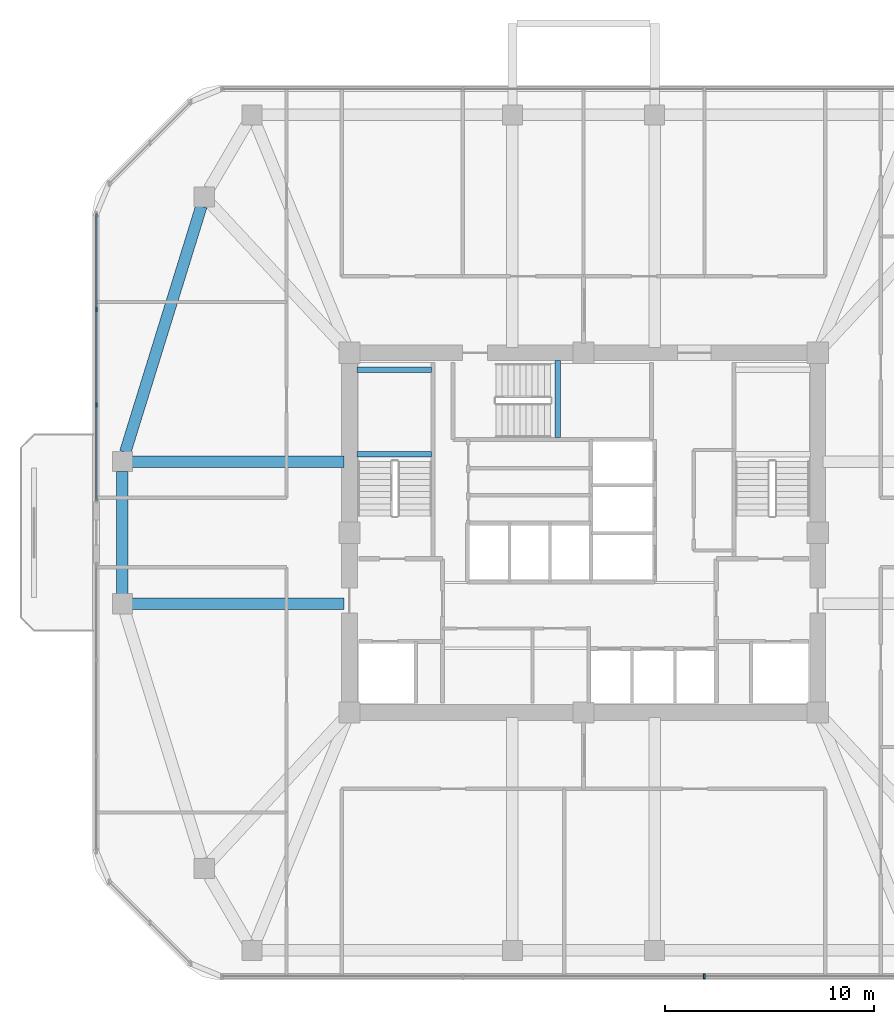
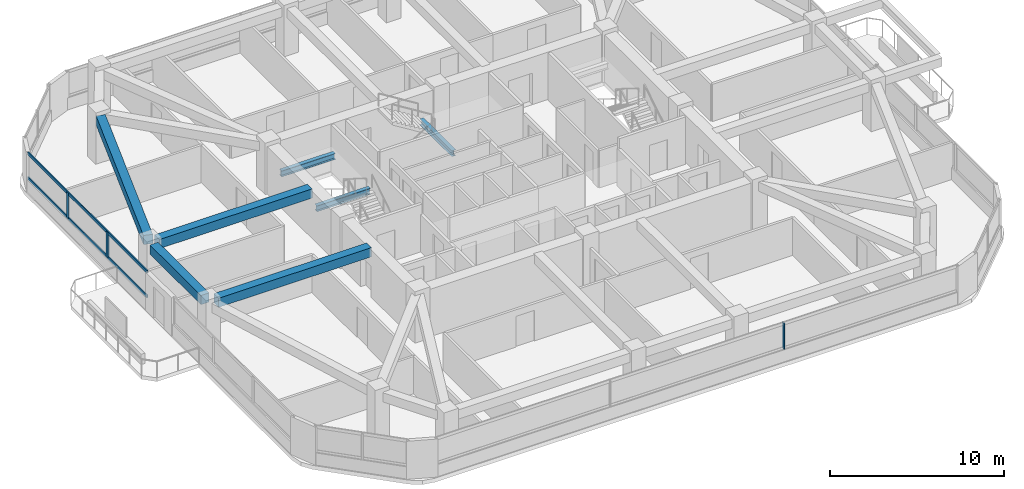
# One storey, part 3 of 12: 7 beams, 5 members, 2 elements without a shape of their own.
"""IFC4 building model written with IfcOpenShell, lengths in metres."""

from ifc_helpers import new_model, si_unit, derived_unit, direction, frame, origin, origin_2d, place, context, subcontext, project, spatial, rectangle, i_section, extrude, material, material_profile, profile_set, type_object, element, aggregate, save


model = new_model("IFC4")

# Units and contexts
model_context = context("Model", 3, precision=1e-05, world=origin(), true_north=direction((0.0, 1.0)))
body_context = subcontext(model_context, "Body", "Model", "MODEL_VIEW")
ifc_project = project(units=[si_unit("LENGTHUNIT", "METRE"), si_unit("AREAUNIT", "SQUARE_METRE"), si_unit("VOLUMEUNIT", "CUBIC_METRE"), si_unit("PLANEANGLEUNIT", "RADIAN"), si_unit("MASSUNIT", "GRAM", prefix="KILO"), derived_unit("THERMALTRANSMITTANCEUNIT", [(si_unit("POWERUNIT", "WATT"), 1), (si_unit("LENGTHUNIT", "METRE"), -2), (si_unit("THERMODYNAMICTEMPERATUREUNIT", "KELVIN"), -1)])], contexts=[model_context])

# Site, building, storey
site_placement = place(None, origin())
site = spatial("IfcSite", under=ifc_project, at=site_placement, CompositionType="ELEMENT")
building_placement = place(site_placement, origin())
building = spatial("IfcBuilding", under=site, at=building_placement, Name="Koralith Skygarden Medical Center", CompositionType="ELEMENT")
storey_placement = place(building_placement, frame((0.0, 0.0, 170.820068359375)))
storey = spatial("IfcBuildingStorey", under=building, at=storey_placement, Name="L44", CompositionType="ELEMENT", Elevation=170.820068359375)

# Curtain wall, member
ifc_material_1 = material(Name="Clear Laminated Glass", Category="glass")
curtain_wall_type = type_object("IfcCurtainWallType", Name="CW-4 Zone 3 Waist High-Wind Curtain Wall", PredefinedType="NOTDEFINED", material=ifc_material_1)
curtain_wall_1_placement = place(storey_placement, origin())
curtain_wall_1 = element("IfcCurtainWall", 1, at=curtain_wall_1_placement, inside=storey, type_object=curtain_wall_type, Name="Curtain Wall CW-L44-S", PredefinedType="NOTDEFINED")
ifc_material_2 = material(Name="Aluminium 6063-T6", Category="aluminium")
ifc_material_profile_1 = material_profile(ifc_material_2, rectangle(XDim=0.076904296875, YDim=0.22998046875, at=origin_2d()), Name="MUL77X230")
ifc_profile_set_1 = profile_set([ifc_material_profile_1], Name="Aluminium 6063-T6")
member_type_1 = type_object("IfcMemberType", Name="CW-4 Extruded Mullion 77x230", PredefinedType="MULLION", material=ifc_profile_set_1)
member_1_placement = place(storey_placement, frame((42.77587890625, 4.679931640625, 0.849853515625), z_axis=(0.0, 0.0, 1.0), x_axis=(1.0, 0.0, 0.0)))
member_1 = element("IfcMember", 2, at=member_1_placement, type_object=member_type_1, Name="CW-L44-S Mullion 3", PredefinedType="MULLION", context=body_context, shape_type="SweptSolid", body=[
    extrude(rectangle(XDim=0.076904296875, YDim=0.22998046875, at=origin_2d()), origin(), (0.0, 0.0, 1.0), 1.820068359375),
])
aggregate(curtain_wall_1, [member_1])

# Curtain wall, members
curtain_wall_2_placement = place(storey_placement, origin())
curtain_wall_2 = element("IfcCurtainWall", 3, at=curtain_wall_2_placement, inside=storey, type_object=curtain_wall_type, Name="Curtain Wall CW-L44-W-L", PredefinedType="NOTDEFINED")
member_2_placement = place(storey_placement, frame((13.696044921875, 36.576904296875, 0.849853515625), z_axis=(0.0, 0.0, 1.0), x_axis=(1.0, 0.0, 0.0)))
member_2 = element("IfcMember", 4, at=member_2_placement, type_object=member_type_1, Name="CW-L44-W-L Mullion 2", PredefinedType="MULLION", context=body_context, shape_type="SweptSolid", body=[
    extrude(rectangle(XDim=0.076904296875, YDim=0.22998046875, at=origin_2d()), origin(), (0.0, 0.0, 1.0), 1.820068359375),
])
member_3_placement = place(storey_placement, frame((13.696044921875, 32.008056640625, 0.849853515625), z_axis=(0.0, 0.0, 1.0), x_axis=(1.0, 0.0, 0.0)))
member_3 = element("IfcMember", 5, at=member_3_placement, type_object=member_type_1, Name="CW-L44-W-L Mullion 3", PredefinedType="MULLION", context=body_context, shape_type="SweptSolid", body=[
    extrude(rectangle(XDim=0.076904296875, YDim=0.22998046875, at=origin_2d()), origin(), (0.0, 0.0, 1.0), 1.820068359375),
])
ifc_material_profile_2 = material_profile(ifc_material_2, rectangle(XDim=0.072021484375, YDim=0.20703125, at=origin_2d()), Name="TRN72X207")
ifc_profile_set_2 = profile_set([ifc_material_profile_2], Name="Aluminium 6063-T6")
member_type_2 = type_object("IfcMemberType", Name="CW-4 Thermal Transom 72x207", PredefinedType="USERDEFINED", material=ifc_profile_set_2)
member_4_placement = place(storey_placement, frame((13.696044921875, 41.14501953125, 0.89990234375), z_axis=(0.0, -1.0, 0.0), x_axis=(1.0, 0.0, 0.0)))
member_4 = element("IfcMember", 6, at=member_4_placement, type_object=member_type_2, Name="CW-L44-W-L Transom 1", ObjectType="TRANSOM", PredefinedType="USERDEFINED", context=body_context, shape_type="SweptSolid", body=[
    extrude(rectangle(XDim=0.072021484375, YDim=0.20703125, at=origin_2d()), origin(), (0.0, 0.0, 1.0), 13.705078125),
])
member_5_placement = place(storey_placement, frame((13.696044921875, 41.14501953125, 2.619873046875), z_axis=(0.0, -1.0, 0.0), x_axis=(1.0, 0.0, 0.0)))
member_5 = element("IfcMember", 7, at=member_5_placement, type_object=member_type_2, Name="CW-L44-W-L Transom 2", ObjectType="TRANSOM", PredefinedType="USERDEFINED", context=body_context, shape_type="SweptSolid", body=[
    extrude(rectangle(XDim=0.072021484375, YDim=0.20703125, at=origin_2d()), origin(), (0.0, 0.0, 1.0), 13.705078125),
])
aggregate(curtain_wall_2, [member_2, member_3, member_4, member_5])

# Beams
ifc_material_3 = material(Name="Steel ASTM A992 Grade 50", Category="steel")
ifc_material_profile_3 = material_profile(ifc_material_3, i_section(OverallWidth=0.260009765625, OverallDepth=0.4150390625, WebThickness=0.010009765625, FlangeThickness=0.016845703125, at=origin_2d()), Name="W16X67")
ifc_profile_set_3 = profile_set([ifc_material_profile_3], Name="Steel ASTM A992 Grade 50")
beam_type_1 = type_object("IfcBeamType", Name="Clinical Floor Joist W16X67", PredefinedType="JOIST", material=ifc_profile_set_3)
for number, where, z_axis, x_axis, name in (
    (8, (26.155029296875, 29.659912109375, 1.392822265625), (1.0, 0.0, 0.0), (0.0, 1.0, 0.0), "L44 Stair ST1 Half-Landing Support Beam 1A"),
    (9, (26.155029296875, 33.699951171875, 1.392822265625), (1.0, 0.0, 0.0), (0.0, 1.0, 0.0), "L44 Stair ST1 Half-Landing Support Beam 1B"),
):
    element("IfcBeam", number, at=place(storey_placement, frame(where, z_axis=z_axis, x_axis=x_axis)), inside=storey, type_object=beam_type_1, Name=name, PredefinedType="JOIST", context=body_context, shape_type="SweptSolid", body=[
        extrude(i_section(OverallWidth=0.260009765625, OverallDepth=0.4150390625, WebThickness=0.010009765625, FlangeThickness=0.016845703125, at=origin_2d()), origin(), (0.0, 0.0, 1.0), 3.56494140625),
    ])
beam_1_placement = place(storey_placement, frame((35.760009765625, 30.43994140625, 1.392822265625), z_axis=(0.0, 1.0, 0.0), x_axis=(-1.0, 0.0, 0.0)))
element("IfcBeam", 10, at=beam_1_placement, inside=storey, type_object=beam_type_1, Name="L44 Stair ST3 Half-Landing Support Beam 1A", PredefinedType="JOIST", context=body_context, shape_type="SweptSolid", body=[
    extrude(i_section(OverallWidth=0.260009765625, OverallDepth=0.4150390625, WebThickness=0.010009765625, FlangeThickness=0.016845703125, at=origin_2d()), origin(), (0.0, 0.0, 1.0), 3.705078125),
])
ifc_material_4 = material(Name="Concrete C45/55", Category="concrete")
ifc_material_profile_4 = material_profile(ifc_material_4, rectangle(XDim=0.550048828125, YDim=0.639892578125, at=origin_2d()), Name="RCB550X640")
ifc_profile_set_4 = profile_set([ifc_material_profile_4], Name="Concrete C45/55")
beam_type_2 = type_object("IfcBeamType", Name="Radial Collector Beam RCB550X640", PredefinedType="BEAM", material=ifc_profile_set_4)
for number, where, z_axis, x_axis, name in (
    (11, (25.550048828125, 22.5, 3.0), (-1.0, 0.0, 0.0), (0.0, -1.0, 0.0), "L44 Radial Collector Beam RB-01"),
    (12, (25.550048828125, 29.300048828125, 3.0), (-1.0, 0.0, 0.0), (0.0, -1.0, 0.0), "L44 Radial Collector Beam RB-16"),
):
    element("IfcBeam", number, at=place(storey_placement, frame(where, z_axis=z_axis, x_axis=x_axis)), inside=storey, type_object=beam_type_2, Name=name, PredefinedType="BEAM", context=body_context, shape_type="SweptSolid", body=[
        extrude(rectangle(XDim=0.550048828125, YDim=0.639892578125, at=origin_2d()), origin(), (0.0, 0.0, 1.0), 10.14404296875),
    ])
ifc_material_profile_5 = material_profile(ifc_material_4, rectangle(XDim=0.550048828125, YDim=0.639892578125, at=origin_2d()), Name="RCB550X640")
ifc_profile_set_5 = profile_set([ifc_material_profile_5], Name="Concrete C45/55")
beam_type_3 = type_object("IfcBeamType", Name="Zone 2-3 Spandrel Beam RCB550X640", PredefinedType="SPANDREL", material=ifc_profile_set_5)
beam_2_placement = place(storey_placement, frame((18.717041015625, 41.510986328125, 3.0), z_axis=(-0.295793585147, -0.955251880389, 0.0), x_axis=(0.955251880389, -0.295793585147, 0.0)))
element("IfcBeam", 13, at=beam_2_placement, inside=storey, type_object=beam_type_3, Name="L44 Perimeter Spandrel Beam SP-15", PredefinedType="SPANDREL", context=body_context, shape_type="SweptSolid", body=[
    extrude(rectangle(XDim=0.550048828125, YDim=0.639892578125, at=origin_2d()), origin(), (0.0, 0.0, 1.0), 12.31298828125),
])
beam_3_placement = place(storey_placement, frame((14.93603515625, 28.830078125, 3.0), z_axis=(0.0, -1.0, 0.0), x_axis=(1.0, 0.0, 0.0)))
element("IfcBeam", 14, at=beam_3_placement, inside=storey, type_object=beam_type_3, Name="L44 Perimeter Spandrel Beam SP-16", PredefinedType="SPANDREL", context=body_context, shape_type="SweptSolid", body=[
    extrude(rectangle(XDim=0.550048828125, YDim=0.639892578125, at=origin_2d()), origin(), (0.0, 0.0, 1.0), 5.860107421875),
])

save(model, "model.ifc")
